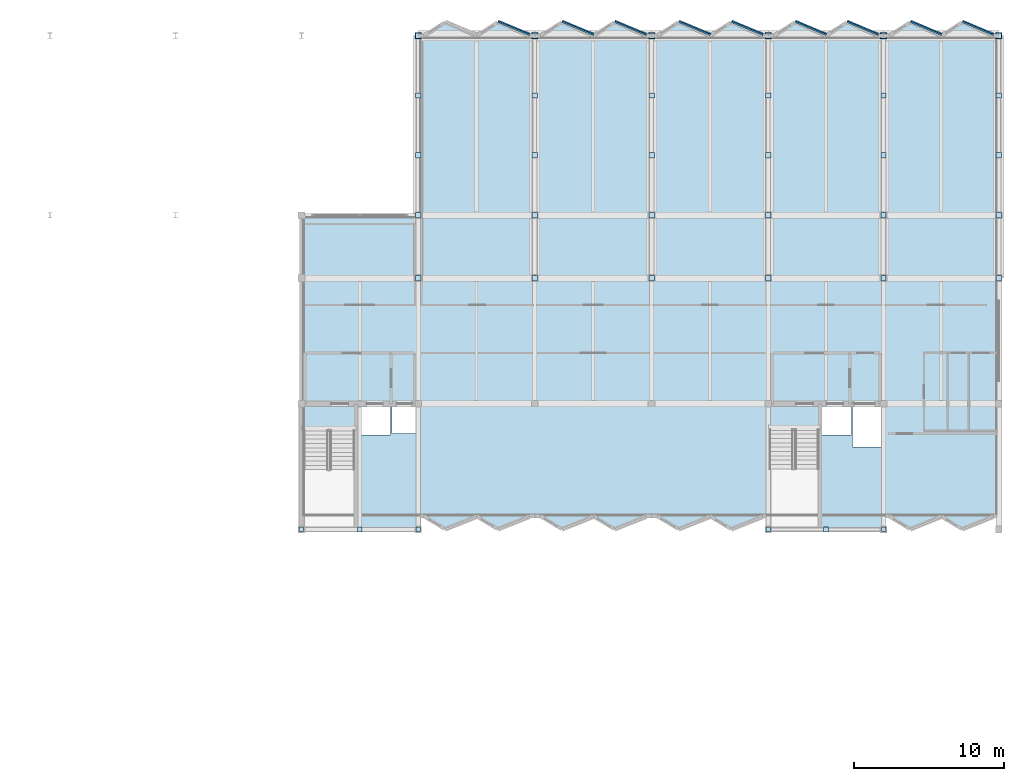
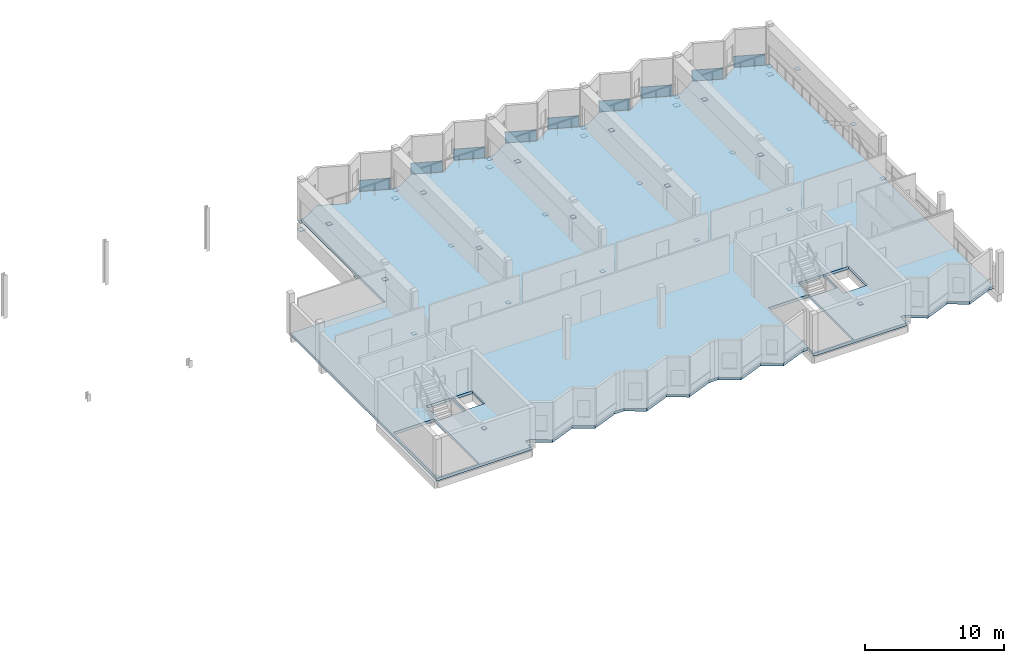
# One storey, part 22 of 34: 51 plates, 1 slab.
"""IFC4 building model written with IfcOpenShell, lengths in metres."""

from ifc_helpers import new_model, si_unit, direction, frame, origin, origin_2d, place, context, subcontext, project, spatial, polyline, rectangle, outline, extrude, material, layer, layer_set, type_object, element, save


model = new_model("IFC4")

# Units and contexts
model_context = context("Model", 3, precision=1e-05, world=origin(), true_north=direction((0.0, 1.0)))
body_context = subcontext(model_context, "Body", "Model", "MODEL_VIEW")
ifc_project = project(units=[si_unit("LENGTHUNIT", "METRE"), si_unit("AREAUNIT", "SQUARE_METRE"), si_unit("VOLUMEUNIT", "CUBIC_METRE"), si_unit("PLANEANGLEUNIT", "RADIAN"), si_unit("MASSUNIT", "GRAM", prefix="KILO")], contexts=[model_context])

# Site, building, storey
site_placement = place(None, origin())
site = spatial("IfcSite", under=ifc_project, at=site_placement, CompositionType="ELEMENT")
building_placement = place(site_placement, origin())
building = spatial("IfcBuilding", under=site, at=building_placement, Name="Vharandega Faculty of Natural Sciences", CompositionType="ELEMENT")
storey_placement = place(building_placement, frame((0.0, 0.0, 21.60009765625)))
storey = spatial("IfcBuildingStorey", under=building, at=storey_placement, Name="L05", CompositionType="ELEMENT", Elevation=21.60009765625)

# Plates
ifc_material_1 = material(Name="Steel S355", Category="steel")
ifc_layer_1 = layer(ifc_material_1, 0.02490234375, Name="Steel S355")
ifc_layer_set_1 = layer_set([ifc_layer_1], Name="Steel S355")
plate_type_1 = type_object("IfcPlateType", Name="Hollow Section End Cap Plate 25mm", PredefinedType="USERDEFINED", material=ifc_layer_set_1)
for number, where, z_axis, x_axis, name in (
    (1, (122.60009765625, 85.0, 1.967529296875), (0.0, 0.0, 1.0), (1.0, 0.0, 0.0), "Node Cap Plate CT-16 #2"),
    (2, (122.60009765625, 89.0, -0.25244140625), (0.0, 0.0, 1.0), (1.0, 0.0, 0.0), "Node Cap Plate CT-16 #3"),
    (3, (122.60009765625, 93.0, 1.967529296875), (0.0, 0.0, 1.0), (1.0, 0.0, 0.0), "Node Cap Plate CT-16 #4"),
    (4, (122.60009765625, 97.0, -0.25244140625), (0.0, 0.0, 1.0), (1.0, 0.0, 0.0), "Node Cap Plate CT-16 #5"),
):
    element("IfcPlate", number, at=place(storey_placement, frame(where, z_axis=z_axis, x_axis=x_axis)), inside=storey, type_object=plate_type_1, Name=name, ObjectType="CAP PLATE", PredefinedType="USERDEFINED", context=body_context, shape_type="SweptSolid", body=[
        extrude(rectangle(XDim=0.360107421875, YDim=0.360107421875, at=origin_2d()), origin(), (0.0, 0.0, 1.0), 0.02490234375),
    ])
plate_1_placement = place(storey_placement, frame((122.60009765625, 97.0, -0.95263671875), z_axis=(0.0, 0.0, 1.0), x_axis=(1.0, 0.0, 0.0)))
element("IfcPlate", 5, at=plate_1_placement, inside=storey, type_object=plate_type_1, Name="Node Cap Plate VS-16 #7", ObjectType="CAP PLATE", PredefinedType="USERDEFINED", context=body_context, shape_type="SweptSolid", body=[
    extrude(rectangle(XDim=0.43994140625, YDim=0.43994140625, at=origin_2d()), origin(), (0.0, 0.0, 1.0), 0.02490234375),
])
for number, where, z_axis, x_axis, name in (
    (6, (130.39990234375, 85.0, 1.967529296875), (0.0, 0.0, 1.0), (1.0, 0.0, 0.0), "Node Cap Plate CT-17 #9"),
    (7, (130.39990234375, 89.0, -0.25244140625), (0.0, 0.0, 1.0), (1.0, 0.0, 0.0), "Node Cap Plate CT-17 #10"),
    (8, (130.39990234375, 93.0, 1.967529296875), (0.0, 0.0, 1.0), (1.0, 0.0, 0.0), "Node Cap Plate CT-17 #11"),
    (9, (130.39990234375, 97.0, -0.25244140625), (0.0, 0.0, 1.0), (1.0, 0.0, 0.0), "Node Cap Plate CT-17 #12"),
):
    element("IfcPlate", number, at=place(storey_placement, frame(where, z_axis=z_axis, x_axis=x_axis)), inside=storey, type_object=plate_type_1, Name=name, ObjectType="CAP PLATE", PredefinedType="USERDEFINED", context=body_context, shape_type="SweptSolid", body=[
        extrude(rectangle(XDim=0.360107421875, YDim=0.360107421875, at=origin_2d()), origin(), (0.0, 0.0, 1.0), 0.02490234375),
    ])
plate_2_placement = place(storey_placement, frame((130.39990234375, 97.0, -0.95263671875), z_axis=(0.0, 0.0, 1.0), x_axis=(1.0, 0.0, 0.0)))
element("IfcPlate", 10, at=plate_2_placement, inside=storey, type_object=plate_type_1, Name="Node Cap Plate VS-17 #14", ObjectType="CAP PLATE", PredefinedType="USERDEFINED", context=body_context, shape_type="SweptSolid", body=[
    extrude(rectangle(XDim=0.43994140625, YDim=0.43994140625, at=origin_2d()), origin(), (0.0, 0.0, 1.0), 0.02490234375),
])
for number, where, z_axis, x_axis, name in (
    (11, (138.199951171875, 85.0, 1.967529296875), (0.0, 0.0, 1.0), (1.0, 0.0, 0.0), "Node Cap Plate CT-18 #16"),
    (12, (138.199951171875, 89.0, -0.25244140625), (0.0, 0.0, 1.0), (1.0, 0.0, 0.0), "Node Cap Plate CT-18 #17"),
    (13, (138.199951171875, 93.0, 1.967529296875), (0.0, 0.0, 1.0), (1.0, 0.0, 0.0), "Node Cap Plate CT-18 #18"),
    (14, (138.199951171875, 97.0, -0.25244140625), (0.0, 0.0, 1.0), (1.0, 0.0, 0.0), "Node Cap Plate CT-18 #19"),
):
    element("IfcPlate", number, at=place(storey_placement, frame(where, z_axis=z_axis, x_axis=x_axis)), inside=storey, type_object=plate_type_1, Name=name, ObjectType="CAP PLATE", PredefinedType="USERDEFINED", context=body_context, shape_type="SweptSolid", body=[
        extrude(rectangle(XDim=0.360107421875, YDim=0.360107421875, at=origin_2d()), origin(), (0.0, 0.0, 1.0), 0.02490234375),
    ])
plate_3_placement = place(storey_placement, frame((138.199951171875, 97.0, -0.95263671875), z_axis=(0.0, 0.0, 1.0), x_axis=(1.0, 0.0, 0.0)))
element("IfcPlate", 15, at=plate_3_placement, inside=storey, type_object=plate_type_1, Name="Node Cap Plate VS-18 #21", ObjectType="CAP PLATE", PredefinedType="USERDEFINED", context=body_context, shape_type="SweptSolid", body=[
    extrude(rectangle(XDim=0.43994140625, YDim=0.43994140625, at=origin_2d()), origin(), (0.0, 0.0, 1.0), 0.02490234375),
])
for number, where, z_axis, x_axis, name in (
    (16, (146.0, 85.0, 1.967529296875), (0.0, 0.0, 1.0), (1.0, 0.0, 0.0), "Node Cap Plate CT-19 #23"),
    (17, (146.0, 89.0, -0.25244140625), (0.0, 0.0, 1.0), (1.0, 0.0, 0.0), "Node Cap Plate CT-19 #24"),
    (18, (146.0, 93.0, 1.967529296875), (0.0, 0.0, 1.0), (1.0, 0.0, 0.0), "Node Cap Plate CT-19 #25"),
    (19, (146.0, 97.0, -0.25244140625), (0.0, 0.0, 1.0), (1.0, 0.0, 0.0), "Node Cap Plate CT-19 #26"),
):
    element("IfcPlate", number, at=place(storey_placement, frame(where, z_axis=z_axis, x_axis=x_axis)), inside=storey, type_object=plate_type_1, Name=name, ObjectType="CAP PLATE", PredefinedType="USERDEFINED", context=body_context, shape_type="SweptSolid", body=[
        extrude(rectangle(XDim=0.360107421875, YDim=0.360107421875, at=origin_2d()), origin(), (0.0, 0.0, 1.0), 0.02490234375),
    ])
plate_4_placement = place(storey_placement, frame((146.0, 97.0, -0.95263671875), z_axis=(0.0, 0.0, 1.0), x_axis=(1.0, 0.0, 0.0)))
element("IfcPlate", 20, at=plate_4_placement, inside=storey, type_object=plate_type_1, Name="Node Cap Plate VS-19 #28", ObjectType="CAP PLATE", PredefinedType="USERDEFINED", context=body_context, shape_type="SweptSolid", body=[
    extrude(rectangle(XDim=0.43994140625, YDim=0.43994140625, at=origin_2d()), origin(), (0.0, 0.0, 1.0), 0.02490234375),
])
for number, where, z_axis, x_axis, name in (
    (21, (153.699951171875, 85.0, 1.967529296875), (0.0, 0.0, 1.0), (1.0, 0.0, 0.0), "Node Cap Plate CT-20 #30"),
    (22, (153.699951171875, 89.0, -0.25244140625), (0.0, 0.0, 1.0), (1.0, 0.0, 0.0), "Node Cap Plate CT-20 #31"),
    (23, (153.699951171875, 93.0, 1.967529296875), (0.0, 0.0, 1.0), (1.0, 0.0, 0.0), "Node Cap Plate CT-20 #32"),
    (24, (153.699951171875, 97.0, -0.25244140625), (0.0, 0.0, 1.0), (1.0, 0.0, 0.0), "Node Cap Plate CT-20 #33"),
):
    element("IfcPlate", number, at=place(storey_placement, frame(where, z_axis=z_axis, x_axis=x_axis)), inside=storey, type_object=plate_type_1, Name=name, ObjectType="CAP PLATE", PredefinedType="USERDEFINED", context=body_context, shape_type="SweptSolid", body=[
        extrude(rectangle(XDim=0.360107421875, YDim=0.360107421875, at=origin_2d()), origin(), (0.0, 0.0, 1.0), 0.02490234375),
    ])
plate_5_placement = place(storey_placement, frame((153.699951171875, 97.0, -0.95263671875), z_axis=(0.0, 0.0, 1.0), x_axis=(1.0, 0.0, 0.0)))
element("IfcPlate", 25, at=plate_5_placement, inside=storey, type_object=plate_type_1, Name="Node Cap Plate VS-20 #35", ObjectType="CAP PLATE", PredefinedType="USERDEFINED", context=body_context, shape_type="SweptSolid", body=[
    extrude(rectangle(XDim=0.43994140625, YDim=0.43994140625, at=origin_2d()), origin(), (0.0, 0.0, 1.0), 0.02490234375),
])
for number, where, z_axis, x_axis, name in (
    (26, (161.39990234375, 85.0, 1.967529296875), (0.0, 0.0, 1.0), (1.0, 0.0, 0.0), "Node Cap Plate CT-21 #37"),
    (27, (161.39990234375, 89.0, -0.25244140625), (0.0, 0.0, 1.0), (1.0, 0.0, 0.0), "Node Cap Plate CT-21 #38"),
    (28, (161.39990234375, 93.0, 1.967529296875), (0.0, 0.0, 1.0), (1.0, 0.0, 0.0), "Node Cap Plate CT-21 #39"),
    (29, (161.39990234375, 97.0, -0.25244140625), (0.0, 0.0, 1.0), (1.0, 0.0, 0.0), "Node Cap Plate CT-21 #40"),
):
    element("IfcPlate", number, at=place(storey_placement, frame(where, z_axis=z_axis, x_axis=x_axis)), inside=storey, type_object=plate_type_1, Name=name, ObjectType="CAP PLATE", PredefinedType="USERDEFINED", context=body_context, shape_type="SweptSolid", body=[
        extrude(rectangle(XDim=0.360107421875, YDim=0.360107421875, at=origin_2d()), origin(), (0.0, 0.0, 1.0), 0.02490234375),
    ])
plate_6_placement = place(storey_placement, frame((161.39990234375, 97.0, -0.95263671875), z_axis=(0.0, 0.0, 1.0), x_axis=(1.0, 0.0, 0.0)))
element("IfcPlate", 30, at=plate_6_placement, inside=storey, type_object=plate_type_1, Name="Node Cap Plate VS-21 #42", ObjectType="CAP PLATE", PredefinedType="USERDEFINED", context=body_context, shape_type="SweptSolid", body=[
    extrude(rectangle(XDim=0.43994140625, YDim=0.43994140625, at=origin_2d()), origin(), (0.0, 0.0, 1.0), 0.02490234375),
])
plate_7_placement = place(storey_placement, frame((114.800048828125, 64.0, 0.137451171875), z_axis=(0.0, 0.0, 1.0), x_axis=(1.0, 0.0, 0.0)))
element("IfcPlate", 31, at=plate_7_placement, inside=storey, type_object=plate_type_1, Name="Node Cap Plate CHV-J-L05 #68", ObjectType="CAP PLATE", PredefinedType="USERDEFINED", context=body_context, shape_type="SweptSolid", body=[
    extrude(rectangle(XDim=0.300048828125, YDim=0.300048828125, at=origin_2d()), origin(), (0.0, 0.0, 1.0), 0.02490234375),
])
plate_8_placement = place(storey_placement, frame((118.699951171875, 64.0, 3.017333984375), z_axis=(0.0, 0.0, 1.0), x_axis=(1.0, 0.0, 0.0)))
element("IfcPlate", 32, at=plate_8_placement, inside=storey, type_object=plate_type_1, Name="Node Cap Plate CHV-J-L05 #69", ObjectType="CAP PLATE", PredefinedType="USERDEFINED", context=body_context, shape_type="SweptSolid", body=[
    extrude(rectangle(XDim=0.320068359375, YDim=0.320068359375, at=origin_2d()), origin(), (0.0, 0.0, 1.0), 0.02490234375),
])
for number, where, z_axis, x_axis, name in (
    (33, (122.60009765625, 64.0, 0.137451171875), (0.0, 0.0, 1.0), (1.0, 0.0, 0.0), "Node Cap Plate CHV-J-L05 #70"),
    (34, (146.0, 64.0, 0.137451171875), (0.0, 0.0, 1.0), (1.0, 0.0, 0.0), "Node Cap Plate CHV-J2-L05 #98"),
):
    element("IfcPlate", number, at=place(storey_placement, frame(where, z_axis=z_axis, x_axis=x_axis)), inside=storey, type_object=plate_type_1, Name=name, ObjectType="CAP PLATE", PredefinedType="USERDEFINED", context=body_context, shape_type="SweptSolid", body=[
        extrude(rectangle(XDim=0.300048828125, YDim=0.300048828125, at=origin_2d()), origin(), (0.0, 0.0, 1.0), 0.02490234375),
    ])
plate_9_placement = place(storey_placement, frame((149.85009765625, 64.0, 3.017333984375), z_axis=(0.0, 0.0, 1.0), x_axis=(1.0, 0.0, 0.0)))
element("IfcPlate", 35, at=plate_9_placement, inside=storey, type_object=plate_type_1, Name="Node Cap Plate CHV-J2-L05 #99", ObjectType="CAP PLATE", PredefinedType="USERDEFINED", context=body_context, shape_type="SweptSolid", body=[
    extrude(rectangle(XDim=0.320068359375, YDim=0.320068359375, at=origin_2d()), origin(), (0.0, 0.0, 1.0), 0.02490234375),
])
plate_10_placement = place(storey_placement, frame((153.699951171875, 64.0, 0.137451171875), z_axis=(0.0, 0.0, 1.0), x_axis=(1.0, 0.0, 0.0)))
element("IfcPlate", 36, at=plate_10_placement, inside=storey, type_object=plate_type_1, Name="Node Cap Plate CHV-J2-L05 #100", ObjectType="CAP PLATE", PredefinedType="USERDEFINED", context=body_context, shape_type="SweptSolid", body=[
    extrude(rectangle(XDim=0.300048828125, YDim=0.300048828125, at=origin_2d()), origin(), (0.0, 0.0, 1.0), 0.02490234375),
])

# Slab
ifc_material_2 = material(Name="Cross-laminated timber CLT7-240", Category="wood")
ifc_layer_2 = layer(ifc_material_2, 0.239990234375, Name="Cross-laminated timber CLT7-240")
ifc_layer_set_2 = layer_set([ifc_layer_2], Name="Cross-laminated timber CLT7-240")
slab_type = type_object("IfcSlabType", Name="SLAB-CLT-240", PredefinedType="FLOOR", material=ifc_layer_set_2)
slab_placement = place(storey_placement, frame((0.0, 0.0, -0.239990234375)))
element("IfcSlab", 37, at=slab_placement, inside=storey, type_object=slab_type, Name="L05 V4 Floor Slab", PredefinedType="FLOOR", context=body_context, shape_type="SweptSolid", body=[
    extrude(outline(polyline([(114.800048828125, 64.0), (122.60009765625, 64.0), (122.60009765625, 64.8798828125), (122.97998046875, 64.8798828125), (124.387939453125, 64.0400390625), (126.5, 64.8798828125), (126.5, 64.8798828125), (127.907958984375, 64.0400390625), (130.02001953125, 64.8798828125), (130.780029296875, 64.8798828125), (132.18798828125, 64.0400390625), (134.300048828125, 64.8798828125), (134.300048828125, 64.8798828125), (135.7080078125, 64.0400390625), (137.820068359375, 64.8798828125), (138.580078125, 64.8798828125), (139.988037109375, 64.0400390625), (142.10009765625, 64.8798828125), (142.10009765625, 64.8798828125), (143.508056640625, 64.0400390625), (145.6201171875, 64.8798828125), (146.0, 64.8798828125), (146.0, 64.0), (153.699951171875, 64.0), (153.699951171875, 64.8798828125), (154.080078125, 64.8798828125), (155.468017578125, 64.0400390625), (157.550048828125, 64.8798828125), (157.550048828125, 64.8798828125), (158.93798828125, 64.0400390625), (161.02001953125, 64.8798828125), (161.39990234375, 64.8798828125), (161.39990234375, 64.0), (161.39990234375, 97.0), (161.02001953125, 97.0), (158.93798828125, 97.8798828125), (157.550048828125, 97.0), (157.550048828125, 97.0), (155.468017578125, 97.8798828125), (154.080078125, 97.0), (153.320068359375, 97.0), (151.238037109375, 97.8798828125), (149.85009765625, 97.0), (149.85009765625, 97.0), (147.76806640625, 97.8798828125), (146.3798828125, 97.0), (145.6201171875, 97.0), (143.508056640625, 97.8798828125), (142.10009765625, 97.0), (142.10009765625, 97.0), (139.988037109375, 97.8798828125), (138.580078125, 97.0), (137.820068359375, 97.0), (135.7080078125, 97.8798828125), (134.300048828125, 97.0), (134.300048828125, 97.0), (132.18798828125, 97.8798828125), (130.780029296875, 97.0), (130.02001953125, 97.0), (127.907958984375, 97.8798828125), (126.5, 97.0), (126.5, 97.0), (124.387939453125, 97.8798828125), (122.97998046875, 97.0), (122.60009765625, 97.0), (122.60009765625, 85.0), (114.800048828125, 85.0), (114.800048828125, 64.0)]), holes=[polyline([(114.93994140625, 70.544921875), (114.93994140625, 64.139892578125), (118.360107421875, 64.139892578125), (118.360107421875, 70.544921875), (114.93994140625, 70.544921875)]), polyline([(118.64990234375, 70.300048828125), (120.75, 70.300048828125), (120.75, 72.219970703125), (118.64990234375, 72.219970703125), (118.64990234375, 70.300048828125)]), polyline([(120.85009765625, 70.39990234375), (122.47998046875, 70.39990234375), (122.47998046875, 72.219970703125), (120.85009765625, 72.219970703125), (120.85009765625, 70.39990234375)]), polyline([(146.06005859375, 70.594970703125), (146.06005859375, 64.139892578125), (149.3798828125, 64.139892578125), (149.3798828125, 70.594970703125), (146.06005859375, 70.594970703125)]), polyline([(149.449951171875, 70.300048828125), (151.570068359375, 70.300048828125), (151.570068359375, 72.219970703125), (149.449951171875, 72.219970703125), (149.449951171875, 70.300048828125)]), polyline([(151.6201171875, 69.5), (153.639892578125, 69.5), (153.639892578125, 72.219970703125), (151.6201171875, 72.219970703125), (151.6201171875, 69.5)])]), origin(), (0.0, 0.0, 1.0), 0.239990234375),
])

# Plates
ifc_material_3 = material(Name="White precast concrete C40/50", Category="concrete")
ifc_layer_3 = layer(ifc_material_3, 0.080078125, Name="White precast concrete C40/50")
ifc_layer_set_3 = layer_set([ifc_layer_3], Name="White precast concrete C40/50")
plate_type_2 = type_object("IfcPlateType", Name="Sawtooth Tilted White Precast Prism 80", PredefinedType="USERDEFINED", material=ifc_layer_set_3)
for number, where, z_axis, x_axis, name in (
    (38, (127.907958984375, 97.8798828125, 0.0), (-0.38213008843, -0.917133415176, 0.113326494182), (0.043508814605, 0.104641694763, 0.993557798404), "Sawtooth Tilted Precast Prism L05 N02"),
    (39, (132.18798828125, 97.8798828125, 0.0), (-0.38213008843, -0.917133415176, 0.113326494182), (0.043508814605, 0.104641694763, 0.993557798404), "Sawtooth Tilted Precast Prism L05 N03"),
    (40, (135.7080078125, 97.8798828125, 0.0), (-0.38213008843, -0.917133415176, 0.113326494182), (0.043508814605, 0.104641694763, 0.993557798404), "Sawtooth Tilted Precast Prism L05 N04"),
    (41, (139.988037109375, 97.8798828125, 0.0), (-0.38213008843, -0.917133415176, 0.113326494182), (0.043508814605, 0.104641694763, 0.993557798404), "Sawtooth Tilted Precast Prism L05 N05"),
    (42, (143.508056640625, 97.8798828125, 0.0), (-0.38213008843, -0.917133415176, 0.113326494182), (0.043508814605, 0.104641694763, 0.993557798404), "Sawtooth Tilted Precast Prism L05 N06"),
):
    element("IfcPlate", number, at=place(storey_placement, frame(where, z_axis=z_axis, x_axis=x_axis)), inside=storey, type_object=plate_type_2, Name=name, ObjectType="FACADE PRISM", PredefinedType="USERDEFINED", context=body_context, shape_type="SweptSolid", body=[
        extrude(outline(polyline([(0.0, 0.0), (0.8856007183018657, -3.821812658011403e-18), (0.8853959930890345, -2.288104707577155), (-0.00017917792407083633, -2.2880108113294035), (0.0, 0.0)])), origin(), (0.0, 0.0, -1.0), 0.080078125),
    ])
plate_11_placement = place(storey_placement, frame((147.76806640625, 97.8798828125, 0.0), z_axis=(-0.386817749414, -0.915184288252, 0.113180154068), x_axis=(0.043784739317, 0.104368261997, 0.993574437317)))
element("IfcPlate", 43, at=plate_11_placement, inside=storey, type_object=plate_type_2, Name="Sawtooth Tilted Precast Prism L05 N07", ObjectType="FACADE PRISM", PredefinedType="USERDEFINED", context=body_context, shape_type="SweptSolid", body=[
    extrude(outline(polyline([(0.0, 0.0), (0.8855858439795705, -2.168404344971009e-19), (0.8848897190759801, -2.260415245596067), (-0.0006706443708762028, -2.2603202046314035), (0.0, 0.0)])), origin(), (0.0, 0.0, -1.0), 0.080078125),
])
plate_12_placement = place(storey_placement, frame((151.238037109375, 97.8798828125, 0.0), z_axis=(-0.386834642075, -0.915170595171, 0.113233128658), x_axis=(0.04403926033, 0.104318203212, 0.993568445568)))
element("IfcPlate", 44, at=plate_12_placement, inside=storey, type_object=plate_type_2, Name="Sawtooth Tilted Precast Prism L05 N08", ObjectType="FACADE PRISM", PredefinedType="USERDEFINED", context=body_context, shape_type="SweptSolid", body=[
    extrude(outline(polyline([(0.0, 0.0), (0.8855965718986443, -2.9205696021328276e-18), (0.8854636740121182, -2.2601904741535517), (-9.667780265362746e-05, -2.260320299228002), (0.0, 0.0)])), origin(), (0.0, 0.0, -1.0), 0.080078125),
])
for number, where, z_axis, x_axis, name in (
    (45, (155.468017578125, 97.8798828125, 0.0), (-0.386813048349, -0.915173165855, 0.113286107384), (0.044059889025, 0.104366999659, 0.993562406475), "Sawtooth Tilted Precast Prism L05 N09"),
    (46, (158.93798828125, 97.8798828125, 0.0), (-0.386813048349, -0.915173165855, 0.113286107384), (0.044059889025, 0.104366999659, 0.993562406475), "Sawtooth Tilted Precast Prism L05 N10"),
):
    element("IfcPlate", number, at=place(storey_placement, frame(where, z_axis=z_axis, x_axis=x_axis)), inside=storey, type_object=plate_type_2, Name=name, ObjectType="FACADE PRISM", PredefinedType="USERDEFINED", context=body_context, shape_type="SweptSolid", body=[
        extrude(outline(polyline([(0.0, 0.0), (0.885596579114325, -4.126744519022951e-18), (0.8854744355192941, -2.260415349486517), (-9.666337050474871e-05, -2.2603203020557325), (0.0, 0.0)])), origin(), (0.0, 0.0, -1.0), 0.080078125),
    ])
ifc_material_4 = material(Name="Steel S355", Category="steel")
ifc_layer_4 = layer(ifc_material_4, 0.030029296875, Name="Steel S355")
ifc_layer_set_4 = layer_set([ifc_layer_4], Name="Steel S355")
plate_type_3 = type_object("IfcPlateType", Name="Truss Node Gusset Plate 30mm", PredefinedType="SHEET", material=ifc_layer_set_4)
for number, where, z_axis, x_axis, name in (
    (47, (122.60009765625, 80.800048828125, -0.2548828125), (0.0, 0.0, 1.0), (1.0, 0.0, 0.0), "Node Cap Plate CT-16 #1"),
    (48, (130.39990234375, 80.800048828125, -0.2548828125), (0.0, 0.0, 1.0), (1.0, 0.0, 0.0), "Node Cap Plate CT-17 #8"),
    (49, (138.199951171875, 80.800048828125, -0.2548828125), (0.0, 0.0, 1.0), (1.0, 0.0, 0.0), "Node Cap Plate CT-18 #15"),
    (50, (146.0, 80.800048828125, -0.2548828125), (0.0, 0.0, 1.0), (1.0, 0.0, 0.0), "Node Cap Plate CT-19 #22"),
    (51, (153.699951171875, 80.800048828125, -0.2548828125), (0.0, 0.0, 1.0), (1.0, 0.0, 0.0), "Node Cap Plate CT-20 #29"),
    (52, (161.39990234375, 80.800048828125, -0.2548828125), (0.0, 0.0, 1.0), (1.0, 0.0, 0.0), "Node Cap Plate CT-21 #36"),
):
    element("IfcPlate", number, at=place(storey_placement, frame(where, z_axis=z_axis, x_axis=x_axis)), inside=storey, type_object=plate_type_3, Name=name, PredefinedType="SHEET", context=body_context, shape_type="SweptSolid", body=[
        extrude(rectangle(XDim=0.360107421875, YDim=0.360107421875, at=origin_2d()), origin(), (0.0, 0.0, 1.0), 0.030029296875),
    ])

save(model, "model.ifc")
